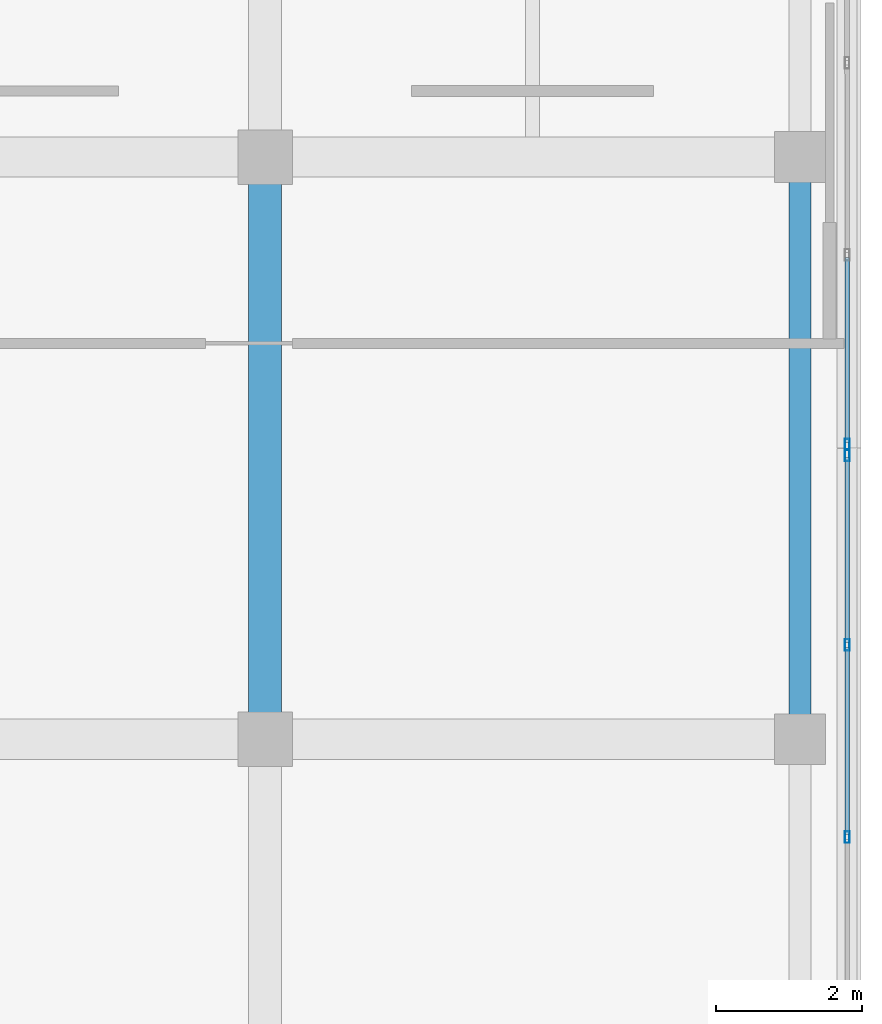
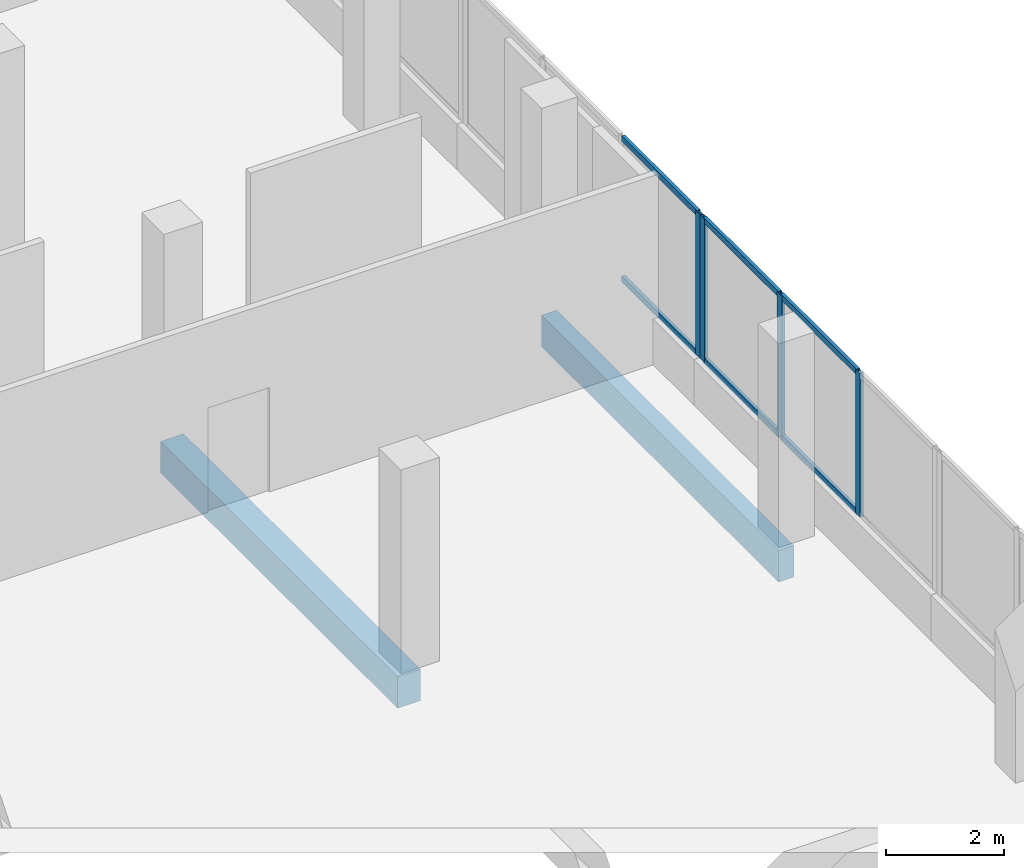
# One storey, part 134 of 184: 10 members, 2 beams, 2 elements without a shape of their own.
"""IFC4 building model written with IfcOpenShell, lengths in metres."""

from ifc_helpers import new_model, si_unit, direction, frame, origin, origin_2d, place, context, subcontext, project, spatial, rectangle, hollow_rectangle, extrude, material, material_profile, profile_set, type_object, element, aggregate, save


model = new_model("IFC4")

# Units and contexts
model_context = context("Model", 3, precision=1e-05, world=origin(), true_north=direction((0.0, 1.0)))
body_context = subcontext(model_context, "Body", "Model", "MODEL_VIEW")
ifc_project = project(units=[si_unit("LENGTHUNIT", "METRE"), si_unit("AREAUNIT", "SQUARE_METRE"), si_unit("VOLUMEUNIT", "CUBIC_METRE"), si_unit("PLANEANGLEUNIT", "RADIAN"), si_unit("MASSUNIT", "GRAM", prefix="KILO")], contexts=[model_context])

# Site, building, storey
site_placement = place(None, origin())
site = spatial("IfcSite", under=ifc_project, at=site_placement, CompositionType="ELEMENT")
building_placement = place(site_placement, origin())
building = spatial("IfcBuilding", under=site, at=building_placement, Name="Selatvlak General Hospital", CompositionType="ELEMENT")
storey_placement = place(building_placement, frame((0.0, 0.0, 15.0)))
storey = spatial("IfcBuildingStorey", under=building, at=storey_placement, Name="L03", CompositionType="ELEMENT", Elevation=15.0)

# Beams
ifc_material_1 = material(Name="Concrete C40/50", Category="concrete")
ifc_material_profile_1 = material_profile(ifc_material_1, rectangle(XDim=0.449951171875, YDim=0.64990234375, at=origin_2d()), Name="RC-BM 450x650")
ifc_profile_set_1 = profile_set([ifc_material_profile_1], Name="Concrete C40/50")
beam_type_1 = type_object("IfcBeamType", Name="BM-G04", PredefinedType="BEAM", material=ifc_profile_set_1)
beam_1_placement = place(storey_placement, frame((174.0, 100.0, -0.6650390625), z_axis=(0.0, 1.0, 0.0), x_axis=(-1.0, 0.0, 0.0)))
element("IfcBeam", 1, at=beam_1_placement, inside=storey, type_object=beam_type_1, Name="Beam BMR-L03-1416", PredefinedType="BEAM", context=body_context, shape_type="SweptSolid", body=[
    extrude(rectangle(XDim=0.449951171875, YDim=0.64990234375, at=origin_2d()), origin(), (0.0, 0.0, 1.0), 8.0),
])
ifc_material_profile_2 = material_profile(ifc_material_1, rectangle(XDim=0.300048828125, YDim=0.64990234375, at=origin_2d()), Name="RC-SP 300x650")
ifc_profile_set_2 = profile_set([ifc_material_profile_2], Name="Concrete C40/50")
beam_type_2 = type_object("IfcBeamType", Name="BM-SP1", PredefinedType="SPANDREL", material=ifc_profile_set_2)
beam_2_placement = place(storey_placement, frame((181.35009765625, 100.0, -0.6650390625), z_axis=(0.0, 1.0, 0.0), x_axis=(-1.0, 0.0, 0.0)))
element("IfcBeam", 2, at=beam_2_placement, inside=storey, type_object=beam_type_2, Name="Beam BMR-L03-1426", PredefinedType="SPANDREL", context=body_context, shape_type="SweptSolid", body=[
    extrude(rectangle(XDim=0.300048828125, YDim=0.64990234375, at=origin_2d()), origin(), (0.0, 0.0, 1.0), 8.0),
])

# Curtain wall, member
ifc_material_2 = material(Name="Solar-control Low-E double glazing", Category="glass")
curtain_wall_type_1 = type_object("IfcCurtainWallType", Name="CW-CW-02", PredefinedType="USERDEFINED", material=ifc_material_2)
curtain_wall_1_placement = place(storey_placement, origin())
curtain_wall_1 = element("IfcCurtainWall", 3, at=curtain_wall_1_placement, inside=storey, type_object=curtain_wall_type_1, Name="Glazed facade curtain wall CW-L03-0385", ObjectType="UNITISED CURTAIN WALL", PredefinedType="USERDEFINED")
ifc_material_3 = material(Name="Dark anodised aluminium mullion", Category="aluminium")
ifc_material_profile_3 = material_profile(ifc_material_3, hollow_rectangle(XDim=0.06494140625, YDim=0.159912109375, WallThickness=0.00390625, at=origin_2d()), Name="AL-MUL 65x160x4")
ifc_profile_set_3 = profile_set([ifc_material_profile_3], Name="Dark anodised aluminium mullion")
member_type_1 = type_object("IfcMemberType", Name="CWM-01", PredefinedType="MULLION", material=ifc_profile_set_3)
member_1_placement = place(storey_placement, frame((182.0, 104.048583984375, 0.93994140625), z_axis=(0.0, 0.0, 1.0), x_axis=(0.999999992027, 0.000126278568, 0.0)))
member_1 = element("IfcMember", 4, at=member_1_placement, type_object=member_type_1, Name="CW-02 mullion 4", PredefinedType="MULLION", context=body_context, shape_type="SweptSolid", body=[
    extrude(hollow_rectangle(XDim=0.06494140625, YDim=0.159912109375, WallThickness=0.00390625, at=origin_2d()), origin(), (0.0, 0.0, 1.0), 2.955078125),
])

# Curtain wall, members
curtain_wall_type_2 = type_object("IfcCurtainWallType", Name="CW-CW-01", PredefinedType="USERDEFINED", material=ifc_material_2)
curtain_wall_2_placement = place(storey_placement, origin())
curtain_wall_2 = element("IfcCurtainWall", 5, at=curtain_wall_2_placement, inside=storey, type_object=curtain_wall_type_2, Name="Glazed facade curtain wall CW-L03-0386", ObjectType="UNITISED CURTAIN WALL", PredefinedType="USERDEFINED")
member_2_placement = place(storey_placement, frame((182.0, 103.903564453125, 0.93994140625), z_axis=(0.0, 0.0, 1.0), x_axis=(1.0, 0.0, 0.0)))
member_2 = element("IfcMember", 6, at=member_2_placement, type_object=member_type_1, Name="CW-01 mullion 1", PredefinedType="MULLION", context=body_context, shape_type="SweptSolid", body=[
    extrude(hollow_rectangle(XDim=0.06494140625, YDim=0.159912109375, WallThickness=0.00390625, at=origin_2d()), origin(), (0.0, 0.0, 1.0), 2.955078125),
])
member_3_placement = place(storey_placement, frame((182.0, 101.2958984375, 0.93994140625), z_axis=(0.0, 0.0, 1.0), x_axis=(1.0, 0.0, 0.0)))
member_3 = element("IfcMember", 7, at=member_3_placement, type_object=member_type_1, Name="CW-01 mullion 2", PredefinedType="MULLION", context=body_context, shape_type="SweptSolid", body=[
    extrude(hollow_rectangle(XDim=0.06494140625, YDim=0.159912109375, WallThickness=0.00390625, at=origin_2d()), origin(), (0.0, 0.0, 1.0), 2.955078125),
])
member_4_placement = place(storey_placement, frame((182.0, 98.656005859375, 0.93994140625), z_axis=(0.0, 0.0, 1.0), x_axis=(1.0, 0.0, 0.0)))
member_4 = element("IfcMember", 8, at=member_4_placement, type_object=member_type_1, Name="CW-01 mullion 3", PredefinedType="MULLION", context=body_context, shape_type="SweptSolid", body=[
    extrude(hollow_rectangle(XDim=0.06494140625, YDim=0.159912109375, WallThickness=0.00390625, at=origin_2d()), origin(), (0.0, 0.0, 1.0), 2.955078125),
])

# Member
ifc_material_profile_4 = material_profile(ifc_material_3, hollow_rectangle(XDim=0.06494140625, YDim=0.1201171875, WallThickness=0.00390625, at=origin_2d()), Name="AL-TRN 65x120x4")
ifc_profile_set_4 = profile_set([ifc_material_profile_4], Name="Dark anodised aluminium mullion")
member_type_2 = type_object("IfcMemberType", Name="CWT-01", PredefinedType="USERDEFINED", material=ifc_profile_set_4)
member_5_placement = place(storey_placement, frame((181.999755859375, 106.623046875, 0.972412109375), z_axis=(9.6043027e-05, -0.999999995388, 0.0), x_axis=(0.999999995388, 9.6043027e-05, 0.0)))
member_5 = element("IfcMember", 9, at=member_5_placement, type_object=member_type_2, Name="CW-02 transom 3.1", ObjectType="TRANSOM", PredefinedType="USERDEFINED", context=body_context, shape_type="SweptSolid", body=[
    extrude(hollow_rectangle(XDim=0.06494140625, YDim=0.1201171875, WallThickness=0.00390625, at=origin_2d()), origin(), (0.0, 0.0, 1.0), 2.5419921875),
])

member_6_placement = place(storey_placement, frame((181.999755859375, 106.623046875, 3.862548828125), z_axis=(9.6043027e-05, -0.999999995388, 0.0), x_axis=(0.999999995388, 9.6043027e-05, 0.0)))
member_6 = element("IfcMember", 10, at=member_6_placement, type_object=member_type_2, Name="CW-02 transom 3.2", ObjectType="TRANSOM", PredefinedType="USERDEFINED", context=body_context, shape_type="SweptSolid", body=[
    extrude(hollow_rectangle(XDim=0.06494140625, YDim=0.1201171875, WallThickness=0.00390625, at=origin_2d()), origin(), (0.0, 0.0, 1.0), 2.5419921875),
])

aggregate(curtain_wall_1, [member_1, member_5, member_6])

member_7_placement = place(storey_placement, frame((182.0, 103.87109375, 0.972412109375), z_axis=(0.0, -1.0, 0.0), x_axis=(1.0, 0.0, 0.0)))
member_7 = element("IfcMember", 11, at=member_7_placement, type_object=member_type_2, Name="CW-01 transom 1.1", ObjectType="TRANSOM", PredefinedType="USERDEFINED", context=body_context, shape_type="SweptSolid", body=[
    extrude(hollow_rectangle(XDim=0.06494140625, YDim=0.1201171875, WallThickness=0.00390625, at=origin_2d()), origin(), (0.0, 0.0, 1.0), 2.54248046875),
])

member_8_placement = place(storey_placement, frame((182.0, 103.87109375, 3.862548828125), z_axis=(0.0, -1.0, 0.0), x_axis=(1.0, 0.0, 0.0)))
member_8 = element("IfcMember", 12, at=member_8_placement, type_object=member_type_2, Name="CW-01 transom 1.2", ObjectType="TRANSOM", PredefinedType="USERDEFINED", context=body_context, shape_type="SweptSolid", body=[
    extrude(hollow_rectangle(XDim=0.06494140625, YDim=0.1201171875, WallThickness=0.00390625, at=origin_2d()), origin(), (0.0, 0.0, 1.0), 2.54248046875),
])

member_9_placement = place(storey_placement, frame((182.0, 101.263427734375, 0.972412109375), z_axis=(0.0, -1.0, 0.0), x_axis=(1.0, 0.0, 0.0)))
member_9 = element("IfcMember", 13, at=member_9_placement, type_object=member_type_2, Name="CW-01 transom 2.1", ObjectType="TRANSOM", PredefinedType="USERDEFINED", context=body_context, shape_type="SweptSolid", body=[
    extrude(hollow_rectangle(XDim=0.06494140625, YDim=0.1201171875, WallThickness=0.00390625, at=origin_2d()), origin(), (0.0, 0.0, 1.0), 2.574951171875),
])

member_10_placement = place(storey_placement, frame((182.0, 101.263427734375, 3.862548828125), z_axis=(0.0, -1.0, 0.0), x_axis=(1.0, 0.0, 0.0)))
member_10 = element("IfcMember", 14, at=member_10_placement, type_object=member_type_2, Name="CW-01 transom 2.2", ObjectType="TRANSOM", PredefinedType="USERDEFINED", context=body_context, shape_type="SweptSolid", body=[
    extrude(hollow_rectangle(XDim=0.06494140625, YDim=0.1201171875, WallThickness=0.00390625, at=origin_2d()), origin(), (0.0, 0.0, 1.0), 2.574951171875),
])

aggregate(curtain_wall_2, [member_2, member_3, member_4, member_7, member_8, member_9, member_10])

save(model, "model.ifc")
